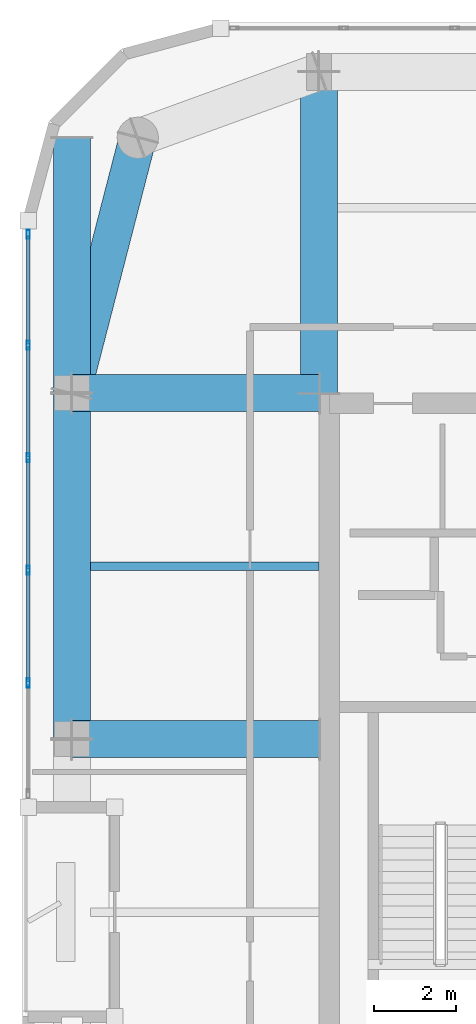
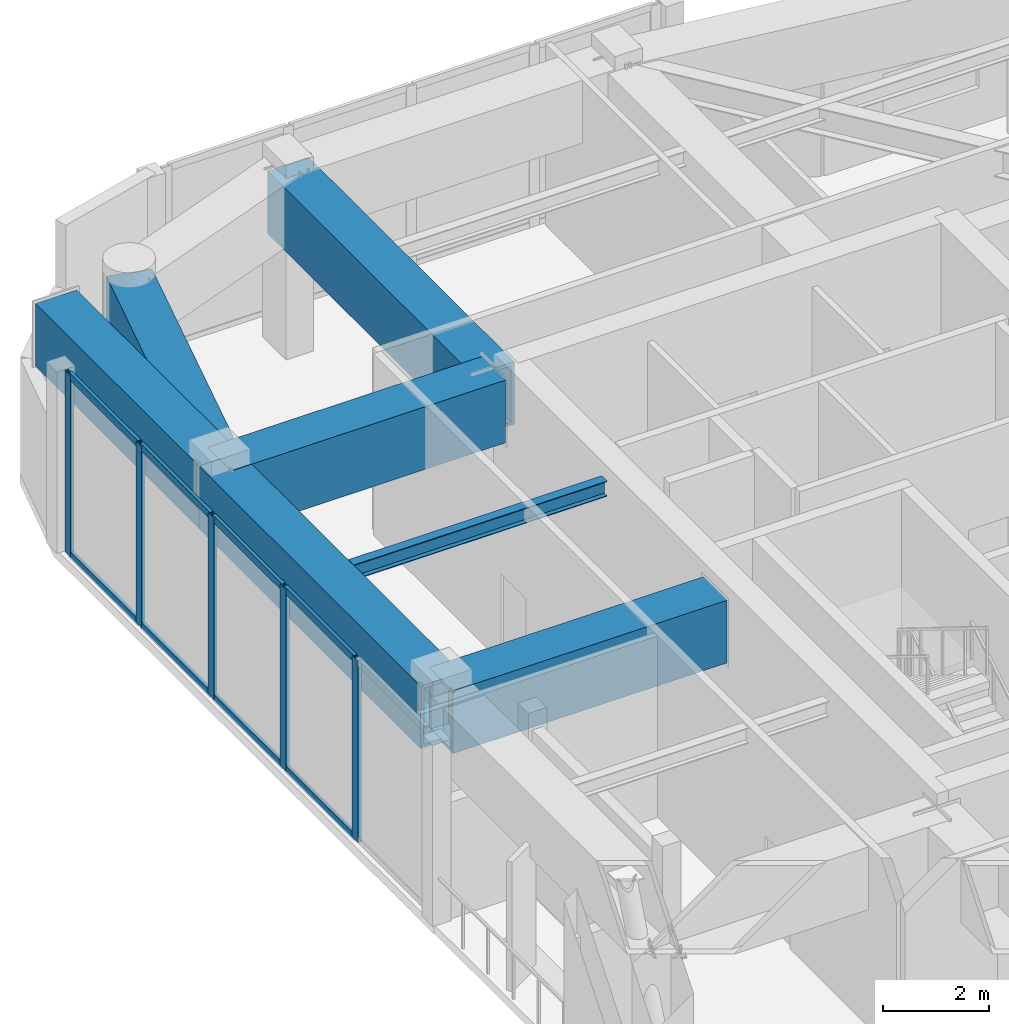
# One storey, part 4 of 17: 13 members, 7 beams, 1 element without a shape of its own.
"""IFC4 building model written with IfcOpenShell, lengths in metres."""

from ifc_helpers import new_model, si_unit, direction, frame, origin, origin_2d, place, context, subcontext, project, spatial, hollow_rectangle, i_section, extrude, material, layer, layer_set, material_profile, profile_set, type_object, element, aggregate, save


model = new_model("IFC4")

# Units and contexts
model_context = context("Model", 3, precision=1e-05, world=origin(), true_north=direction((0.0, 1.0)))
body_context = subcontext(model_context, "Body", "Model", "MODEL_VIEW")
ifc_project = project(units=[si_unit("LENGTHUNIT", "METRE"), si_unit("AREAUNIT", "SQUARE_METRE"), si_unit("VOLUMEUNIT", "CUBIC_METRE"), si_unit("PLANEANGLEUNIT", "RADIAN"), si_unit("MASSUNIT", "GRAM", prefix="KILO")], contexts=[model_context])

# Site, building, storey
site_placement = place(None, origin())
site = spatial("IfcSite", under=ifc_project, at=site_placement, CompositionType="ELEMENT")
building_placement = place(site_placement, origin())
building = spatial("IfcBuilding", under=site, at=building_placement, Name="Kiyonajd Concourse Tower", CompositionType="ELEMENT")
storey_placement = place(building_placement, frame((0.0, 0.0, 350.39990234375)))
storey = spatial("IfcBuildingStorey", under=building, at=storey_placement, Name="L88", CompositionType="ELEMENT", Elevation=350.39990234375)

# Beams
ifc_material_1 = material(Name="Steel ASTM A992 Grade 50", Category="steel")
ifc_material_profile_1 = material_profile(ifc_material_1, i_section(OverallWidth=0.205078125, OverallDepth=0.35400390625, WebThickness=0.009521484375, FlangeThickness=0.016845703125, at=origin_2d()), Name="W360X79")
ifc_profile_set_1 = profile_set([ifc_material_profile_1], Name="Steel ASTM A992 Grade 50")
beam_type_1 = type_object("IfcBeamType", Name="BM-JST-360", PredefinedType="JOIST", material=ifc_profile_set_1)
beam_1_placement = place(storey_placement, frame((26.85009765625, 40.199951171875, 3.983154296875), z_axis=(1.0, 0.0, 0.0), x_axis=(0.0, 1.0, 0.0)))
element("IfcBeam", 1, at=beam_1_placement, inside=storey, type_object=beam_type_1, Name="L88 West Secondary Floor Joist", PredefinedType="JOIST", context=body_context, shape_type="SweptSolid", body=[
    extrude(i_section(OverallWidth=0.205078125, OverallDepth=0.35400390625, WebThickness=0.009521484375, FlangeThickness=0.016845703125, at=origin_2d()), origin(), (0.0, 0.0, 1.0), 5.5498046875),
])
ifc_material_2 = material(Name="Steel ASTM A572 Grade 50", Category="steel")
ifc_material_profile_2 = material_profile(ifc_material_2, hollow_rectangle(XDim=0.89990234375, YDim=1.449951171875, WallThickness=0.074951171875, at=origin_2d()), Name="BOX-1450x900x75")
ifc_profile_set_2 = profile_set([ifc_material_profile_2], Name="Steel ASTM A572 Grade 50")
beam_type_2 = type_object("IfcBeamType", Name="BM-XFER-1800", PredefinedType="BEAM", material=ifc_profile_set_2)
beam_2_placement = place(storey_placement, frame((28.0, 50.60009765625, 3.43505859375), z_axis=(-0.249884937687, -0.968275538221, 0.0), x_axis=(0.968275538221, -0.249884937687, 0.0)))
element("IfcBeam", 2, at=beam_2_placement, inside=storey, type_object=beam_type_2, Name="L88 Perimeter Bundled Tube Spandrel", PredefinedType="BEAM", context=body_context, shape_type="SweptSolid", body=[
    extrude(hollow_rectangle(XDim=0.89990234375, YDim=1.449951171875, WallThickness=0.074951171875, at=origin_2d()), origin(), (0.0, 0.0, 1.0), 6.4033203125),
])
beam_3_placement = place(storey_placement, frame((26.39990234375, 44.39990234375, 3.43505859375), z_axis=(0.0, -1.0, 0.0), x_axis=(1.0, 0.0, 0.0)))
element("IfcBeam", 3, at=beam_3_placement, inside=storey, type_object=beam_type_2, Name="L88 Perimeter Bundled Tube Spandrel", PredefinedType="BEAM", context=body_context, shape_type="SweptSolid", body=[
    extrude(hollow_rectangle(XDim=0.89990234375, YDim=1.449951171875, WallThickness=0.074951171875, at=origin_2d()), origin(), (0.0, 0.0, 1.0), 8.39990234375),
])
beam_4_placement = place(storey_placement, frame((32.39990234375, 44.39990234375, 3.43505859375), z_axis=(0.0, 1.0, 0.0), x_axis=(-1.0, 0.0, 0.0)))
element("IfcBeam", 4, at=beam_4_placement, inside=storey, type_object=beam_type_2, Name="L88 North Lease Girder", PredefinedType="BEAM", context=body_context, shape_type="SweptSolid", body=[
    extrude(hollow_rectangle(XDim=0.89990234375, YDim=1.449951171875, WallThickness=0.074951171875, at=origin_2d()), origin(), (0.0, 0.0, 1.0), 7.800048828125),
])
for number, where, z_axis, x_axis, name in (
    (5, (26.39990234375, 36.0, 3.43505859375), (1.0, 0.0, 0.0), (0.0, 1.0, 0.0), "L88 West Lease Girder"),
    (6, (26.39990234375, 44.39990234375, 3.43505859375), (1.0, 0.0, 0.0), (0.0, 1.0, 0.0), "L88 West Lease Girder"),
):
    element("IfcBeam", number, at=place(storey_placement, frame(where, z_axis=z_axis, x_axis=x_axis)), inside=storey, type_object=beam_type_2, Name=name, PredefinedType="BEAM", context=body_context, shape_type="SweptSolid", body=[
        extrude(hollow_rectangle(XDim=0.89990234375, YDim=1.449951171875, WallThickness=0.074951171875, at=origin_2d()), origin(), (0.0, 0.0, 1.0), 6.0),
    ])
beam_5_placement = place(storey_placement, frame((26.39990234375, 44.39990234375, 3.43505859375), z_axis=(0.0, 1.0, 0.0), x_axis=(-1.0, 0.0, 0.0)))
element("IfcBeam", 7, at=beam_5_placement, inside=storey, type_object=beam_type_2, Name="L88 Column Transfer Girder", PredefinedType="BEAM", context=body_context, shape_type="SweptSolid", body=[
    extrude(hollow_rectangle(XDim=0.89990234375, YDim=1.449951171875, WallThickness=0.074951171875, at=origin_2d()), origin(), (0.0, 0.0, 1.0), 6.2001953125),
])

# Curtain wall, members
ifc_material_3 = material(Name="Thermally Broken Anodised Aluminium", Category="aluminium")
ifc_layer = layer(ifc_material_3, 0.179931640625)
ifc_layer_set = layer_set([ifc_layer], Name="Thermally Broken Anodised Aluminium")
curtain_wall_type = type_object("IfcCurtainWallType", Name="CW-SYS-06", PredefinedType="NOTDEFINED", material=ifc_layer_set)
curtain_wall_placement = place(storey_placement, origin())
curtain_wall = element("IfcCurtainWall", 8, at=curtain_wall_placement, inside=storey, type_object=curtain_wall_type, Name="L88 Unitised Curtain Wall CW6", PredefinedType="NOTDEFINED")
ifc_material_profile_3 = material_profile(ifc_material_3, hollow_rectangle(XDim=0.074951171875, YDim=0.219970703125, WallThickness=0.0048828125, at=origin_2d()), Name="MULL-75x220")
ifc_profile_set_3 = profile_set([ifc_material_profile_3], Name="Thermally Broken Anodised Aluminium")
member_type_1 = type_object("IfcMemberType", Name="MB-CW-MULL2", PredefinedType="MULLION", material=ifc_profile_set_3)
member_1_placement = place(storey_placement, frame((25.340087890625, 37.3623046875, 0.0), z_axis=(0.0, 0.0, 1.0), x_axis=(-1.0, 0.0, 0.0)))
member_1 = element("IfcMember", 9, at=member_1_placement, type_object=member_type_1, Name="CW6 mullion 2", PredefinedType="MULLION", context=body_context, shape_type="SweptSolid", body=[
    extrude(hollow_rectangle(XDim=0.074951171875, YDim=0.219970703125, WallThickness=0.0048828125, at=origin_2d()), origin(), (0.0, 0.0, 1.0), 4.2001953125),
])
member_2_placement = place(storey_placement, frame((25.340087890625, 40.0947265625, 0.0), z_axis=(0.0, 0.0, 1.0), x_axis=(-1.0, 0.0, 0.0)))
member_2 = element("IfcMember", 10, at=member_2_placement, type_object=member_type_1, Name="CW6 mullion 3", PredefinedType="MULLION", context=body_context, shape_type="SweptSolid", body=[
    extrude(hollow_rectangle(XDim=0.074951171875, YDim=0.219970703125, WallThickness=0.0048828125, at=origin_2d()), origin(), (0.0, 0.0, 1.0), 4.2001953125),
])
member_3_placement = place(storey_placement, frame((25.340087890625, 42.826904296875, 0.0), z_axis=(0.0, 0.0, 1.0), x_axis=(-1.0, 0.0, 0.0)))
member_3 = element("IfcMember", 11, at=member_3_placement, type_object=member_type_1, Name="CW6 mullion 4", PredefinedType="MULLION", context=body_context, shape_type="SweptSolid", body=[
    extrude(hollow_rectangle(XDim=0.074951171875, YDim=0.219970703125, WallThickness=0.0048828125, at=origin_2d()), origin(), (0.0, 0.0, 1.0), 4.2001953125),
])
member_4_placement = place(storey_placement, frame((25.340087890625, 45.559326171875, 0.0), z_axis=(0.0, 0.0, 1.0), x_axis=(-1.0, 0.0, 0.0)))
member_4 = element("IfcMember", 12, at=member_4_placement, type_object=member_type_1, Name="CW6 mullion 5", PredefinedType="MULLION", context=body_context, shape_type="SweptSolid", body=[
    extrude(hollow_rectangle(XDim=0.074951171875, YDim=0.219970703125, WallThickness=0.0048828125, at=origin_2d()), origin(), (0.0, 0.0, 1.0), 4.2001953125),
])
member_5_placement = place(storey_placement, frame((25.340087890625, 48.254150390625, 0.0), z_axis=(0.0, 0.0, 1.0), x_axis=(-1.0, 0.0, 0.0)))
member_5 = element("IfcMember", 13, at=member_5_placement, type_object=member_type_1, Name="CW6 mullion 6", PredefinedType="MULLION", context=body_context, shape_type="SweptSolid", body=[
    extrude(hollow_rectangle(XDim=0.074951171875, YDim=0.219970703125, WallThickness=0.0048828125, at=origin_2d()), origin(), (0.0, 0.0, 1.0), 4.2001953125),
])
ifc_material_profile_4 = material_profile(ifc_material_3, hollow_rectangle(XDim=0.074951171875, YDim=0.159912109375, WallThickness=0.0048828125, at=origin_2d()), Name="TRAN-75x160")
ifc_profile_set_4 = profile_set([ifc_material_profile_4], Name="Thermally Broken Anodised Aluminium")
member_type_2 = type_object("IfcMemberType", Name="MB-CW-TRAN2", PredefinedType="USERDEFINED", material=ifc_profile_set_4)
member_6_placement = place(storey_placement, frame((25.340087890625, 37.39990234375, 0.03759765625), z_axis=(0.0, 1.0, 0.0), x_axis=(-1.0, 0.0, 0.0)))
member_6 = element("IfcMember", 14, at=member_6_placement, type_object=member_type_2, Name="CW6 transom 2.1", ObjectType="TRANSOM", PredefinedType="USERDEFINED", context=body_context, shape_type="SweptSolid", body=[
    extrude(hollow_rectangle(XDim=0.074951171875, YDim=0.159912109375, WallThickness=0.0048828125, at=origin_2d()), origin(), (0.0, 0.0, 1.0), 2.6572265625),
])
member_7_placement = place(storey_placement, frame((25.340087890625, 37.39990234375, 4.16259765625), z_axis=(0.0, 1.0, 0.0), x_axis=(-1.0, 0.0, 0.0)))
member_7 = element("IfcMember", 15, at=member_7_placement, type_object=member_type_2, Name="CW6 transom 2.2", ObjectType="TRANSOM", PredefinedType="USERDEFINED", context=body_context, shape_type="SweptSolid", body=[
    extrude(hollow_rectangle(XDim=0.074951171875, YDim=0.159912109375, WallThickness=0.0048828125, at=origin_2d()), origin(), (0.0, 0.0, 1.0), 2.6572265625),
])
member_8_placement = place(storey_placement, frame((25.340087890625, 40.132080078125, 0.03759765625), z_axis=(0.0, 1.0, 0.0), x_axis=(-1.0, 0.0, 0.0)))
member_8 = element("IfcMember", 16, at=member_8_placement, type_object=member_type_2, Name="CW6 transom 3.1", ObjectType="TRANSOM", PredefinedType="USERDEFINED", context=body_context, shape_type="SweptSolid", body=[
    extrude(hollow_rectangle(XDim=0.074951171875, YDim=0.159912109375, WallThickness=0.0048828125, at=origin_2d()), origin(), (0.0, 0.0, 1.0), 2.657470703125),
])
member_9_placement = place(storey_placement, frame((25.340087890625, 40.132080078125, 4.16259765625), z_axis=(0.0, 1.0, 0.0), x_axis=(-1.0, 0.0, 0.0)))
member_9 = element("IfcMember", 17, at=member_9_placement, type_object=member_type_2, Name="CW6 transom 3.2", ObjectType="TRANSOM", PredefinedType="USERDEFINED", context=body_context, shape_type="SweptSolid", body=[
    extrude(hollow_rectangle(XDim=0.074951171875, YDim=0.159912109375, WallThickness=0.0048828125, at=origin_2d()), origin(), (0.0, 0.0, 1.0), 2.657470703125),
])
member_10_placement = place(storey_placement, frame((25.340087890625, 42.864501953125, 0.03759765625), z_axis=(0.0, 1.0, 0.0), x_axis=(-1.0, 0.0, 0.0)))
member_10 = element("IfcMember", 18, at=member_10_placement, type_object=member_type_2, Name="CW6 transom 4.1", ObjectType="TRANSOM", PredefinedType="USERDEFINED", context=body_context, shape_type="SweptSolid", body=[
    extrude(hollow_rectangle(XDim=0.074951171875, YDim=0.159912109375, WallThickness=0.0048828125, at=origin_2d()), origin(), (0.0, 0.0, 1.0), 2.6572265625),
])
member_11_placement = place(storey_placement, frame((25.340087890625, 42.864501953125, 4.16259765625), z_axis=(0.0, 1.0, 0.0), x_axis=(-1.0, 0.0, 0.0)))
member_11 = element("IfcMember", 19, at=member_11_placement, type_object=member_type_2, Name="CW6 transom 4.2", ObjectType="TRANSOM", PredefinedType="USERDEFINED", context=body_context, shape_type="SweptSolid", body=[
    extrude(hollow_rectangle(XDim=0.074951171875, YDim=0.159912109375, WallThickness=0.0048828125, at=origin_2d()), origin(), (0.0, 0.0, 1.0), 2.6572265625),
])
member_12_placement = place(storey_placement, frame((25.340087890625, 45.5966796875, 0.03759765625), z_axis=(0.0, 1.0, 0.0), x_axis=(-1.0, 0.0, 0.0)))
member_12 = element("IfcMember", 20, at=member_12_placement, type_object=member_type_2, Name="CW6 transom 5.1", ObjectType="TRANSOM", PredefinedType="USERDEFINED", context=body_context, shape_type="SweptSolid", body=[
    extrude(hollow_rectangle(XDim=0.074951171875, YDim=0.159912109375, WallThickness=0.0048828125, at=origin_2d()), origin(), (0.0, 0.0, 1.0), 2.619873046875),
])
member_13_placement = place(storey_placement, frame((25.340087890625, 45.5966796875, 4.16259765625), z_axis=(0.0, 1.0, 0.0), x_axis=(-1.0, 0.0, 0.0)))
member_13 = element("IfcMember", 21, at=member_13_placement, type_object=member_type_2, Name="CW6 transom 5.2", ObjectType="TRANSOM", PredefinedType="USERDEFINED", context=body_context, shape_type="SweptSolid", body=[
    extrude(hollow_rectangle(XDim=0.074951171875, YDim=0.159912109375, WallThickness=0.0048828125, at=origin_2d()), origin(), (0.0, 0.0, 1.0), 2.619873046875),
])
aggregate(curtain_wall, [member_1, member_2, member_3, member_4, member_5, member_6, member_7, member_8, member_9, member_10, member_11, member_12, member_13])

save(model, "model.ifc")
